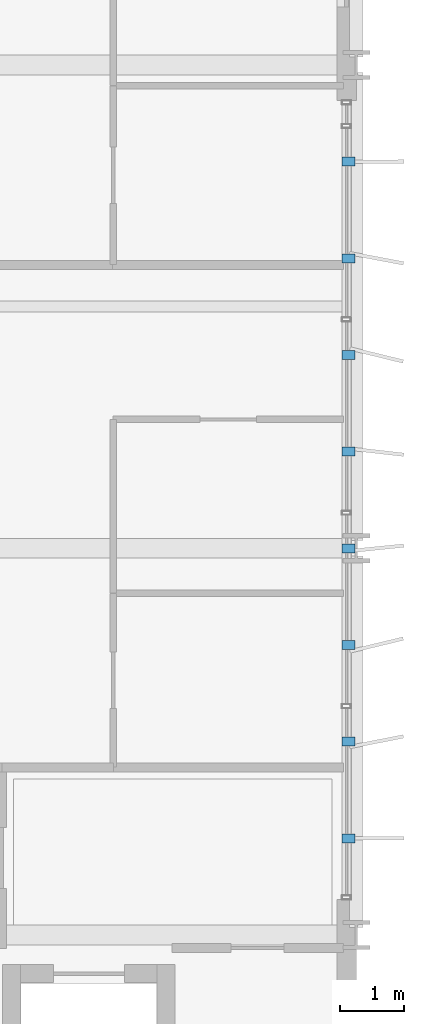
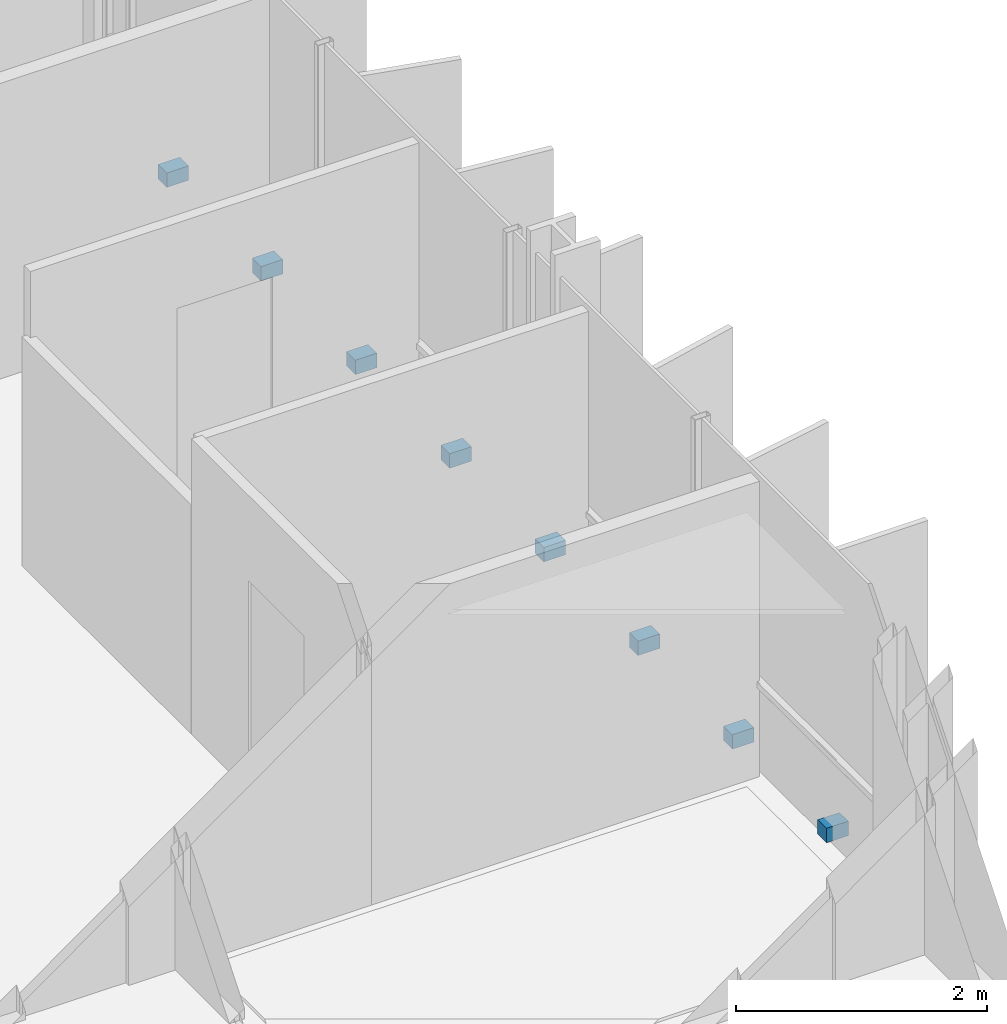
# One storey, part 35 of 39: 8 discrete accessories.
"""IFC4 building model written with IfcOpenShell, lengths in metres."""

from ifc_helpers import new_model, si_unit, direction, frame, origin, origin_2d, place, context, subcontext, project, spatial, rectangle, extrude, material, type_object, element, save


model = new_model("IFC4")

# Units and contexts
model_context = context("Model", 3, precision=1e-05, world=origin(), true_north=direction((0.0, 1.0)))
body_context = subcontext(model_context, "Body", "Model", "MODEL_VIEW")
ifc_project = project(units=[si_unit("LENGTHUNIT", "METRE"), si_unit("AREAUNIT", "SQUARE_METRE"), si_unit("VOLUMEUNIT", "CUBIC_METRE"), si_unit("PLANEANGLEUNIT", "RADIAN"), si_unit("MASSUNIT", "GRAM", prefix="KILO")], contexts=[model_context])

# Site, building, storey
site_placement = place(None, origin())
site = spatial("IfcSite", under=ifc_project, at=site_placement, CompositionType="ELEMENT")
building_placement = place(site_placement, origin())
building = spatial("IfcBuilding", under=site, at=building_placement, Name="Brevholm Reach", CompositionType="ELEMENT")
storey_placement = place(building_placement, frame((0.0, 0.0, 90.0)))
storey = spatial("IfcBuildingStorey", under=building, at=storey_placement, Name="L26", CompositionType="ELEMENT", Elevation=90.0)

# Discrete accessories
ifc_material = material(Name="Duplex Stainless Steel EN 1.4462", Category="steel")
discrete_accessory_type = type_object("IfcDiscreteAccessoryType", Name="ACC-BRK-01", PredefinedType="BRACKET", material=ifc_material)
for number, where, z_axis, x_axis, name in (
    (1, (59.8798828125, 11.5, 0.0302734375), (0.0, 0.0, 1.0), (1.0, 0.0, 0.0), "L26 Solar Screen Support Bracket 1"),
    (2, (59.8798828125, 13.0, 0.0302734375), (0.0, 0.0, 1.0), (1.0, 0.0, 0.0), "L26 Solar Screen Support Bracket 2"),
    (3, (59.8798828125, 14.5, 0.0302734375), (0.0, 0.0, 1.0), (1.0, 0.0, 0.0), "L26 Solar Screen Support Bracket 3"),
    (4, (59.8798828125, 16.0, 0.0302734375), (0.0, 0.0, 1.0), (1.0, 0.0, 0.0), "L26 Solar Screen Support Bracket 4"),
    (5, (59.8798828125, 17.5, 0.0302734375), (0.0, 0.0, 1.0), (1.0, 0.0, 0.0), "L26 Solar Screen Support Bracket 5"),
    (6, (59.8798828125, 19.0, 0.0302734375), (0.0, 0.0, 1.0), (1.0, 0.0, 0.0), "L26 Solar Screen Support Bracket 6"),
    (7, (59.8798828125, 20.5, 0.0302734375), (0.0, 0.0, 1.0), (1.0, 0.0, 0.0), "L26 Solar Screen Support Bracket 7"),
    (8, (59.8798828125, 22.0, 0.0302734375), (0.0, 0.0, 1.0), (1.0, 0.0, 0.0), "L26 Solar Screen Support Bracket 8"),
):
    element("IfcDiscreteAccessory", number, at=place(storey_placement, frame(where, z_axis=z_axis, x_axis=x_axis)), inside=storey, type_object=discrete_accessory_type, Name=name, PredefinedType="BRACKET", context=body_context, shape_type="SweptSolid", body=[
        extrude(rectangle(XDim=0.199951171875, YDim=0.139892578125, at=origin_2d()), origin(), (0.0, 0.0, 1.0), 0.139892578125),
    ])

save(model, "model.ifc")
